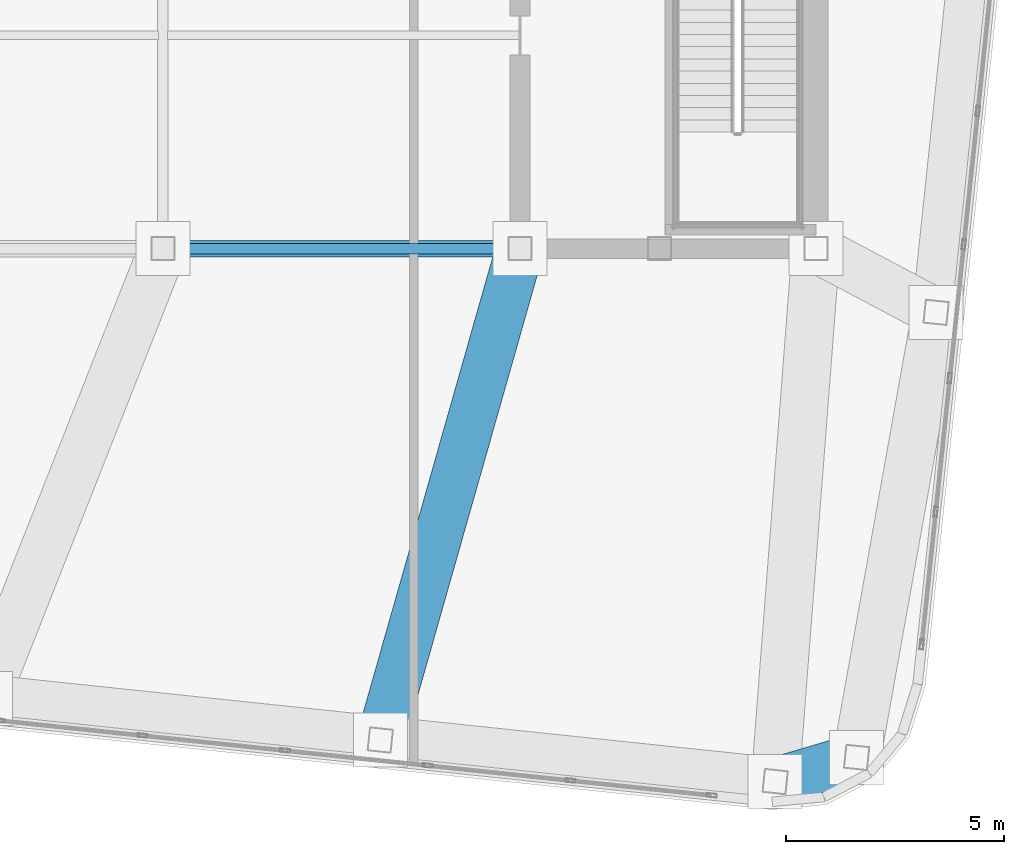
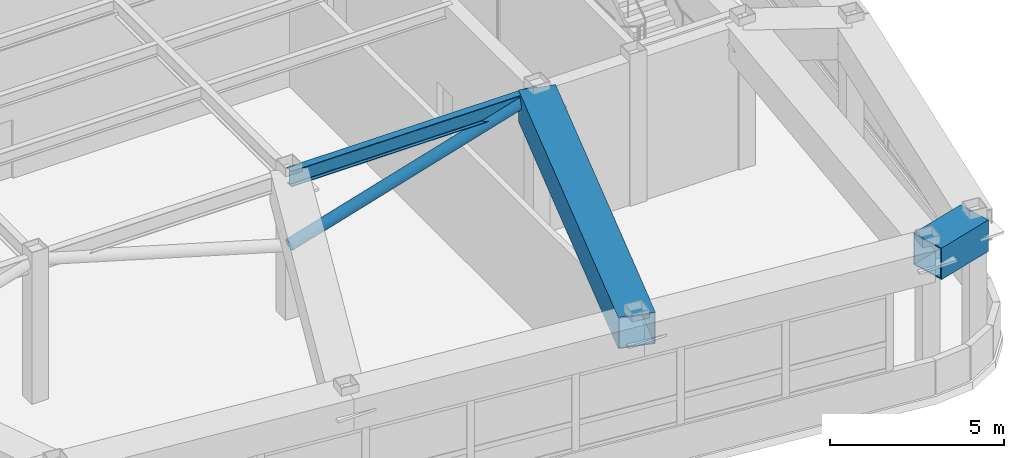
# One storey, part 10 of 23: 3 beams, 1 member.
"""IFC4 building model written with IfcOpenShell, lengths in metres."""

from ifc_helpers import new_model, si_unit, direction, frame, origin, origin_2d, place, context, subcontext, project, spatial, hollow_rectangle, hollow_circle, i_section, extrude, material, material_profile, profile_set, type_object, element, save


model = new_model("IFC4")

# Units and contexts
model_context = context("Model", 3, precision=1e-05, world=origin(), true_north=direction((0.0, 1.0)))
body_context = subcontext(model_context, "Body", "Model", "MODEL_VIEW")
ifc_project = project(units=[si_unit("LENGTHUNIT", "METRE"), si_unit("AREAUNIT", "SQUARE_METRE"), si_unit("VOLUMEUNIT", "CUBIC_METRE"), si_unit("PLANEANGLEUNIT", "RADIAN"), si_unit("MASSUNIT", "GRAM", prefix="KILO")], contexts=[model_context])

# Site, building, storey
site_placement = place(None, origin())
site = spatial("IfcSite", under=ifc_project, at=site_placement, CompositionType="ELEMENT")
building_placement = place(site_placement, origin())
building = spatial("IfcBuilding", under=site, at=building_placement, Name="Voryun Gate Residences", CompositionType="ELEMENT")
storey_placement = place(building_placement, frame((0.0, 0.0, 316.0)))
storey = spatial("IfcBuildingStorey", under=building, at=storey_placement, Name="L78", CompositionType="ELEMENT", Elevation=316.0)

# Beams
ifc_material_1 = material(Name="Steel SM420", Category="steel")
ifc_material_profile_1 = material_profile(ifc_material_1, hollow_rectangle(XDim=1.10009765625, YDim=1.10009765625, WallThickness=0.035888671875, at=origin_2d()), Name="BOX-1100x1100x36")
ifc_profile_set_1 = profile_set([ifc_material_profile_1], Name="Steel SM420")
beam_type_1 = type_object("IfcBeamType", Name="BM_ARCH_RIB", PredefinedType="USERDEFINED", material=ifc_profile_set_1)
beam_1_placement = place(storey_placement, frame((18.261474609375, -19.63818359375, 4.47509765625), z_axis=(0.958835963288, 0.283960552728, 0.0), x_axis=(-0.283960552728, 0.958835963288, 0.0)))
element("IfcBeam", 1, at=beam_1_placement, inside=storey, type_object=beam_type_1, Name="BM-L78-SPAND-06", ObjectType="GIRDER", PredefinedType="USERDEFINED", context=body_context, shape_type="SweptSolid", body=[
    extrude(hollow_rectangle(XDim=1.10009765625, YDim=1.10009765625, WallThickness=0.035888671875, at=origin_2d()), origin(), (0.0, 0.0, 1.0), 1.95166015625),
])
beam_2_placement = place(storey_placement, frame((12.39990234375, -7.39990234375, 4.47509765625), z_axis=(-0.273478609988, -0.961878084727, 0.0), x_axis=(0.961878084727, -0.273478609988, 0.0)))
element("IfcBeam", 2, at=beam_2_placement, inside=storey, type_object=beam_type_1, Name="BM-L78-RAD-S5", ObjectType="GIRDER", PredefinedType="USERDEFINED", context=body_context, shape_type="SweptSolid", body=[
    extrude(hollow_rectangle(XDim=1.10009765625, YDim=1.10009765625, WallThickness=0.035888671875, at=origin_2d()), origin(), (0.0, 0.0, 1.0), 11.732177734375),
])
ifc_material_2 = material(Name="Steel SM355", Category="steel")
ifc_material_profile_2 = material_profile(ifc_material_2, i_section(OverallWidth=0.239990234375, OverallDepth=0.550048828125, WebThickness=0.011962890625, FlangeThickness=0.02001953125, FilletRadius=0.01806640625, at=origin_2d()), Name="H-550x240x12x20")
ifc_profile_set_2 = profile_set([ifc_material_profile_2], Name="Steel SM355")
beam_type_2 = type_object("IfcBeamType", Name="BM_GIRD_550", PredefinedType="USERDEFINED", material=ifc_profile_set_2)
beam_3_placement = place(storey_placement, frame((4.199951171875, -7.39990234375, 4.75), z_axis=(1.0, 0.0, 0.0), x_axis=(0.0, 1.0, 0.0)))
element("IfcBeam", 3, at=beam_3_placement, inside=storey, type_object=beam_type_2, Name="BM-L78-SPG3-S", ObjectType="GIRDER", PredefinedType="USERDEFINED", context=body_context, shape_type="SweptSolid", body=[
    extrude(i_section(OverallWidth=0.239990234375, OverallDepth=0.550048828125, WebThickness=0.011962890625, FlangeThickness=0.02001953125, FilletRadius=0.01806640625, at=origin_2d()), origin(), (0.0, 0.0, 1.0), 8.199951171875),
])

# Member
ifc_material_3 = material(Name="Steel SM355", Category="steel")
ifc_material_profile_3 = material_profile(ifc_material_3, hollow_circle(Radius=0.18994140625, WallThickness=0.01806640625, at=origin_2d()), Name="CHS-380x18")
ifc_profile_set_3 = profile_set([ifc_material_profile_3], Name="Steel SM355")
member_type = type_object("IfcMemberType", Name="MBR_CROWN_DIAGRID", PredefinedType="BRACE", material=ifc_profile_set_3)
member_placement = place(storey_placement, frame((4.199951171875, -7.39990234375, 2.3798828125), z_axis=(0.957662114733, 0.0, 0.287894553621), x_axis=(0.0, 1.0, 0.0)))
element("IfcMember", 4, at=member_placement, inside=storey, type_object=member_type, Name="L78 Lantern Spine Diagrid Brace 03", PredefinedType="BRACE", context=body_context, shape_type="SweptSolid", body=[
    extrude(hollow_circle(Radius=0.18994140625, WallThickness=0.01806640625, at=origin_2d()), origin(), (0.0, 0.0, 1.0), 8.5625),
])

save(model, "model.ifc")
